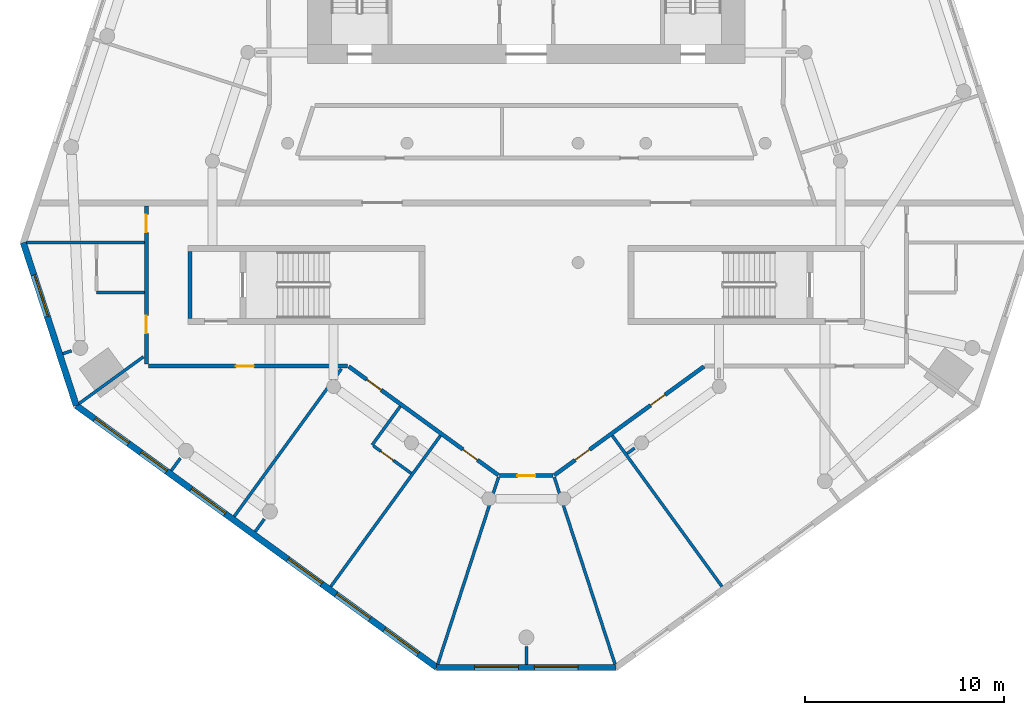
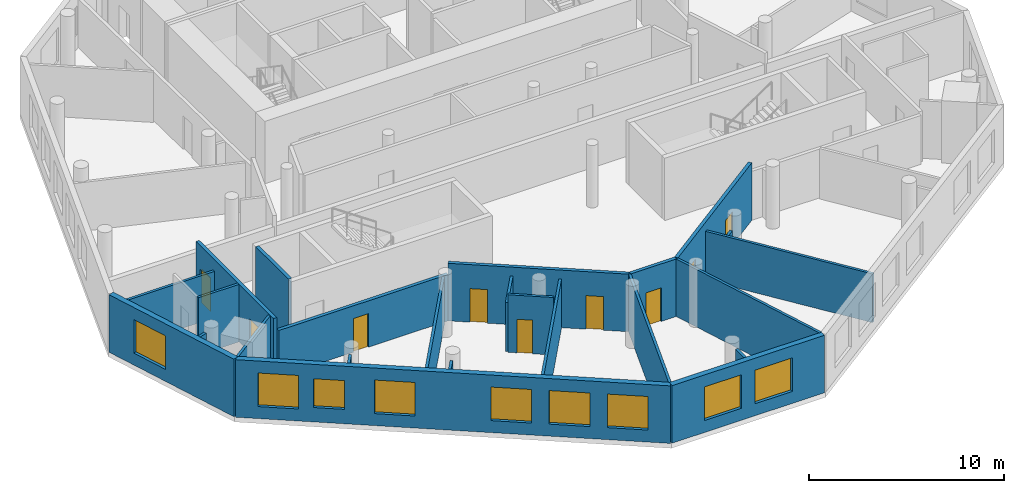
# One storey, part 2 of 8: 24 walls, 9 doors, 9 windows, 18 openings.
"""IFC4 building model written with IfcOpenShell, lengths in metres."""

from ifc_helpers import new_model, si_unit, direction, frame, frame_2d, origin, place, context, subcontext, project, spatial, rectangle, extrude, material, layer, layer_set, type_object, element, fill, save


model = new_model("IFC4")

# Units and contexts
model_context = context("Model", 3, precision=1e-05, world=origin(), true_north=direction((0.0, 1.0)))
body_context = subcontext(model_context, "Body", "Model", "MODEL_VIEW")
ifc_project = project(units=[si_unit("LENGTHUNIT", "METRE"), si_unit("AREAUNIT", "SQUARE_METRE"), si_unit("VOLUMEUNIT", "CUBIC_METRE"), si_unit("PLANEANGLEUNIT", "RADIAN"), si_unit("MASSUNIT", "GRAM", prefix="KILO")], contexts=[model_context])

# Site, building, storey
site_placement = place(None, origin())
site = spatial("IfcSite", under=ifc_project, at=site_placement, CompositionType="ELEMENT")
building_placement = place(site_placement, origin())
building = spatial("IfcBuilding", under=site, at=building_placement, Name="White Candle Pilgrim Tower", CompositionType="ELEMENT")
storey_placement = place(building_placement, frame((0.0, 0.0, 156.39990234375)))
storey = spatial("IfcBuildingStorey", under=building, at=storey_placement, Name="L35", CompositionType="ELEMENT", Elevation=156.39990234375)

# Wall
ifc_material_1 = material(Name="Concrete C60/75", Category="concrete")
ifc_layer_1 = layer(ifc_material_1, 0.199951171875)
ifc_layer_set_1 = layer_set([ifc_layer_1], Name="Core wall 200 mm Concrete C60/75")
wall_type_1 = type_object("IfcWallType", Name="Core wall 200 mm Concrete C60/75", PredefinedType="SHEAR", material=ifc_layer_set_1)
wall_1_placement = place(storey_placement, frame((53.10009765625, 58.199951171875, 0.0), z_axis=(0.0, 0.0, 1.0), x_axis=(0.0, 1.0, 0.0)))
element("IfcWall", 1, at=wall_1_placement, inside=storey, type_object=wall_type_1, Name="WL-L35-C03", PredefinedType="SHEAR", context=body_context, shape_type="SweptSolid", body=[
    extrude(rectangle(XDim=3.35009765625, YDim=0.199951171875, at=frame_2d((1.675048828125, 0.0))), origin(), (0.0, 0.0, 1.0), 3.900146484375),
])

# Wall, openings, doors
ifc_material_2 = material(Name="Gypsum board on steel studs", Category="steel")
ifc_layer_2 = layer(ifc_material_2, 0.199951171875)
ifc_layer_set_2 = layer_set([ifc_layer_2], Name="Corridor wall 200 mm EI 45")
wall_type_2 = type_object("IfcWallType", Name="Corridor wall 200 mm EI 45", PredefinedType="PARTITIONING", material=ifc_layer_set_2)
wall_2_placement = place(storey_placement, frame((78.93017578125, 55.781005859375, 0.0), z_axis=(0.0, 0.0, 1.0), x_axis=(-0.809011649892, -0.587792608272, 0.0)))
wall_2 = element("IfcWall", 2, at=wall_2_placement, inside=storey, type_object=wall_type_2, Name="WL-L35-P008", PredefinedType="PARTITIONING", context=body_context, shape_type="SweptSolid", body=[
    extrude(rectangle(XDim=9.306884765625, YDim=0.199951171875, at=frame_2d((4.6533203125, 0.0))), origin(), (0.0, 0.0, 1.0), 3.60009765625),
])
opening_1_placement = place(wall_2_placement, frame((7.10693359375, 0.0, 0.0)))
opening_1 = element("IfcOpeningElement", 3, at=opening_1_placement, cuts=wall_2, Name="Opening T10-108", PredefinedType="OPENING", context=body_context, shape_type="SweptSolid", body=[
    extrude(rectangle(XDim=0.89990234375, YDim=2.10009765625, at=frame_2d((0.449951171875, 1.050048828125))), frame((0.0, 0.10986328125, 0.0), z_axis=(0.0, -1.0, 0.0), x_axis=(1.0, 0.0, 0.0)), (0.0, 0.0, 1.0), 0.219970703125),
])
opening_2_placement = place(wall_2_placement, frame((2.421142578125, 0.0, 0.0)))
opening_2 = element("IfcOpeningElement", 4, at=opening_2_placement, cuts=wall_2, Name="Opening T10-109", PredefinedType="OPENING", context=body_context, shape_type="SweptSolid", body=[
    extrude(rectangle(XDim=0.89990234375, YDim=2.10009765625, at=frame_2d((0.449951171875, 1.050048828125))), frame((0.0, 0.10986328125, 0.0), z_axis=(0.0, -1.0, 0.0), x_axis=(1.0, 0.0, 0.0)), (0.0, 0.0, 1.0), 0.219970703125),
])
ifc_material_3 = material(Name="Steel door leaf", Category="steel")
door_type_1 = type_object("IfcDoorType", Name="Fire door 900 x 2100 EI 30", OperationType="NOTDEFINED", PredefinedType="DOOR", material=ifc_material_3)
door_1_placement = place(opening_1_placement, origin())
door_1 = element("IfcDoor", 5, at=door_1_placement, inside=storey, type_object=door_type_1, Name="Door T10-108", OperationType="SINGLE_SWING_RIGHT", OverallHeight=2.10009765625, OverallWidth=0.89990234375, PredefinedType="DOOR", context=body_context, shape_type="SweptSolid", body=[
    extrude(rectangle(XDim=0.89990234375, YDim=2.10009765625, at=frame_2d((0.449951171875, 1.050048828125))), frame((0.0, 0.02490234375, 0.0), z_axis=(0.0, -1.0, 0.0), x_axis=(1.0, 0.0, 0.0)), (0.0, 0.0, 1.0), 0.050048828125),
])
fill(opening_1, door_1)
door_2_placement = place(opening_2_placement, origin())
door_2 = element("IfcDoor", 6, at=door_2_placement, inside=storey, type_object=door_type_1, Name="Door T10-109", OperationType="SINGLE_SWING_LEFT", OverallHeight=2.10009765625, OverallWidth=0.89990234375, PredefinedType="DOOR", context=body_context, shape_type="SweptSolid", body=[
    extrude(rectangle(XDim=0.89990234375, YDim=2.10009765625, at=frame_2d((0.449951171875, 1.050048828125))), frame((0.0, 0.02490234375, 0.0), z_axis=(0.0, -1.0, 0.0), x_axis=(1.0, 0.0, 0.0)), (0.0, 0.0, 1.0), 0.050048828125),
])
fill(opening_2, door_2)

# Wall, opening, door
wall_3_placement = place(storey_placement, frame((71.342041015625, 50.29150390625, 0.0), z_axis=(0.0, 0.0, 1.0), x_axis=(-1.0, 0.0, 0.0)))
wall_3 = element("IfcWall", 7, at=wall_3_placement, inside=storey, type_object=wall_type_2, Name="WL-L35-P009", PredefinedType="PARTITIONING", context=body_context, shape_type="SweptSolid", body=[
    extrude(rectangle(XDim=2.68408203125, YDim=0.199951171875, at=frame_2d((1.342041015625, 0.0))), origin(), (0.0, 0.0, 1.0), 3.60009765625),
])
opening_3_placement = place(wall_3_placement, frame((0.89208984375, 0.0, 0.0)))
opening_3 = element("IfcOpeningElement", 8, at=opening_3_placement, cuts=wall_3, Name="Opening T10-107", PredefinedType="OPENING", context=body_context, shape_type="SweptSolid", body=[
    extrude(rectangle(XDim=0.89990234375, YDim=2.10009765625, at=frame_2d((0.449951171875, 1.050048828125))), frame((0.0, 0.10986328125, 0.0), z_axis=(0.0, -1.0, 0.0), x_axis=(1.0, 0.0, 0.0)), (0.0, 0.0, 1.0), 0.219970703125),
])
door_3_placement = place(opening_3_placement, origin())
door_3 = element("IfcDoor", 9, at=door_3_placement, inside=storey, type_object=door_type_1, Name="Door T10-107", OperationType="SINGLE_SWING_LEFT", OverallHeight=2.10009765625, OverallWidth=0.89990234375, PredefinedType="DOOR", context=body_context, shape_type="SweptSolid", body=[
    extrude(rectangle(XDim=0.89990234375, YDim=2.10009765625, at=frame_2d((0.449951171875, 1.050048828125))), frame((0.0, 0.02490234375, 0.0), z_axis=(0.0, -1.0, 0.0), x_axis=(1.0, 0.0, 0.0)), (0.0, 0.0, 1.0), 0.050048828125),
])
fill(opening_3, door_3)

# Wall, openings, doors
wall_4_placement = place(storey_placement, frame((68.59912109375, 50.310546875, 0.0), z_axis=(0.0, 0.0, 1.0), x_axis=(-0.809011649892, 0.587792608272, 0.0)))
wall_4 = element("IfcWall", 10, at=wall_4_placement, inside=storey, type_object=wall_type_2, Name="WL-L35-P010", PredefinedType="PARTITIONING", context=body_context, shape_type="SweptSolid", body=[
    extrude(rectangle(XDim=9.306884765625, YDim=0.199951171875, at=frame_2d((4.6533203125, 0.0))), origin(), (0.0, 0.0, 1.0), 3.60009765625),
])
opening_4_placement = place(wall_4_placement, frame((7.285400390625, 0.0, 0.0)))
opening_4 = element("IfcOpeningElement", 11, at=opening_4_placement, cuts=wall_4, Name="Opening T10-105", PredefinedType="OPENING", context=body_context, shape_type="SweptSolid", body=[
    extrude(rectangle(XDim=0.89990234375, YDim=2.10009765625, at=frame_2d((0.449951171875, 1.050048828125))), frame((0.0, 0.10986328125, 0.0), z_axis=(0.0, -1.0, 0.0), x_axis=(1.0, 0.0, 0.0)), (0.0, 0.0, 1.0), 0.219970703125),
])
opening_5_placement = place(wall_4_placement, frame((1.299560546875, 0.0, 0.0)))
opening_5 = element("IfcOpeningElement", 12, at=opening_5_placement, cuts=wall_4, Name="Opening T10-106", PredefinedType="OPENING", context=body_context, shape_type="SweptSolid", body=[
    extrude(rectangle(XDim=0.89990234375, YDim=2.10009765625, at=frame_2d((0.449951171875, 1.050048828125))), frame((0.0, 0.10986328125, 0.0), z_axis=(0.0, -1.0, 0.0), x_axis=(1.0, 0.0, 0.0)), (0.0, 0.0, 1.0), 0.219970703125),
])
door_4_placement = place(opening_4_placement, origin())
door_4 = element("IfcDoor", 13, at=door_4_placement, inside=storey, type_object=door_type_1, Name="Door T10-105", OperationType="SINGLE_SWING_LEFT", OverallHeight=2.10009765625, OverallWidth=0.89990234375, PredefinedType="DOOR", context=body_context, shape_type="SweptSolid", body=[
    extrude(rectangle(XDim=0.89990234375, YDim=2.10009765625, at=frame_2d((0.449951171875, 1.050048828125))), frame((0.0, 0.02490234375, 0.0), z_axis=(0.0, -1.0, 0.0), x_axis=(1.0, 0.0, 0.0)), (0.0, 0.0, 1.0), 0.050048828125),
])
fill(opening_4, door_4)
door_5_placement = place(opening_5_placement, origin())
door_5 = element("IfcDoor", 14, at=door_5_placement, inside=storey, type_object=door_type_1, Name="Door T10-106", OperationType="SINGLE_SWING_RIGHT", OverallHeight=2.10009765625, OverallWidth=0.89990234375, PredefinedType="DOOR", context=body_context, shape_type="SweptSolid", body=[
    extrude(rectangle(XDim=0.89990234375, YDim=2.10009765625, at=frame_2d((0.449951171875, 1.050048828125))), frame((0.0, 0.02490234375, 0.0), z_axis=(0.0, -1.0, 0.0), x_axis=(1.0, 0.0, 0.0)), (0.0, 0.0, 1.0), 0.050048828125),
])
fill(opening_5, door_5)

# Wall, opening, door
wall_5_placement = place(storey_placement, frame((61.010986328125, 55.800048828125, 0.0), z_axis=(0.0, 0.0, 1.0), x_axis=(-1.0, 0.0, 0.0)))
wall_5 = element("IfcWall", 15, at=wall_5_placement, inside=storey, type_object=wall_type_2, Name="WL-L35-P011", PredefinedType="PARTITIONING", context=body_context, shape_type="SweptSolid", body=[
    extrude(rectangle(XDim=10.010986328125, YDim=0.199951171875, at=frame_2d((5.00537109375, 0.0))), origin(), (0.0, 0.0, 1.0), 2.900146484375),
])
opening_6_placement = place(wall_5_placement, frame((4.70849609375, 0.0, 0.0)))
opening_6 = element("IfcOpeningElement", 16, at=opening_6_placement, cuts=wall_5, Name="Opening T10-103", PredefinedType="OPENING", context=body_context, shape_type="SweptSolid", body=[
    extrude(rectangle(XDim=0.89990234375, YDim=2.10009765625, at=frame_2d((0.449951171875, 1.050048828125))), frame((0.0, 0.10986328125, 0.0), z_axis=(0.0, -1.0, 0.0), x_axis=(1.0, 0.0, 0.0)), (0.0, 0.0, 1.0), 0.219970703125),
])
door_6_placement = place(opening_6_placement, origin())
door_6 = element("IfcDoor", 17, at=door_6_placement, inside=storey, type_object=door_type_1, Name="Door T10-103", OperationType="SINGLE_SWING_LEFT", OverallHeight=2.10009765625, OverallWidth=0.89990234375, PredefinedType="DOOR", context=body_context, shape_type="SweptSolid", body=[
    extrude(rectangle(XDim=0.89990234375, YDim=2.10009765625, at=frame_2d((0.449951171875, 1.050048828125))), frame((0.0, 0.02490234375, 0.0), z_axis=(0.0, -1.0, 0.0), x_axis=(1.0, 0.0, 0.0)), (0.0, 0.0, 1.0), 0.050048828125),
])
fill(opening_6, door_6)

# Wall, openings, doors
wall_6_placement = place(storey_placement, frame((50.89990234375, 55.89990234375, 0.0), z_axis=(0.0, 0.0, 1.0), x_axis=(0.0, 1.0, 0.0)))
wall_6 = element("IfcWall", 18, at=wall_6_placement, inside=storey, type_object=wall_type_2, Name="WL-L35-P012", PredefinedType="PARTITIONING", context=body_context, shape_type="SweptSolid", body=[
    extrude(rectangle(XDim=7.9501953125, YDim=0.199951171875, at=frame_2d((3.97509765625, 0.0))), origin(), (0.0, 0.0, 1.0), 3.60009765625),
])
opening_7_placement = place(wall_6_placement, frame((1.537841796875, 0.0, 0.0)))
opening_7 = element("IfcOpeningElement", 19, at=opening_7_placement, cuts=wall_6, Name="Opening T10-102", PredefinedType="OPENING", context=body_context, shape_type="SweptSolid", body=[
    extrude(rectangle(XDim=0.89990234375, YDim=2.10009765625, at=frame_2d((0.449951171875, 1.050048828125))), frame((0.0, 0.10986328125, 0.0), z_axis=(0.0, -1.0, 0.0), x_axis=(1.0, 0.0, 0.0)), (0.0, 0.0, 1.0), 0.219970703125),
])
opening_8_placement = place(wall_6_placement, frame((6.613525390625, 0.0, 0.0)))
opening_8 = element("IfcOpeningElement", 20, at=opening_8_placement, cuts=wall_6, Name="Opening T10-117", PredefinedType="OPENING", context=body_context, shape_type="SweptSolid", body=[
    extrude(rectangle(XDim=0.89990234375, YDim=2.10009765625, at=frame_2d((0.449951171875, 1.050048828125))), frame((0.0, 0.10986328125, 0.0), z_axis=(0.0, -1.0, 0.0), x_axis=(1.0, 0.0, 0.0)), (0.0, 0.0, 1.0), 0.219970703125),
])
door_7_placement = place(opening_7_placement, origin())
door_7 = element("IfcDoor", 21, at=door_7_placement, inside=storey, type_object=door_type_1, Name="Door T10-102", OperationType="SINGLE_SWING_RIGHT", OverallHeight=2.10009765625, OverallWidth=0.89990234375, PredefinedType="DOOR", context=body_context, shape_type="SweptSolid", body=[
    extrude(rectangle(XDim=0.89990234375, YDim=2.10009765625, at=frame_2d((0.449951171875, 1.050048828125))), frame((0.0, 0.02490234375, 0.0), z_axis=(0.0, -1.0, 0.0), x_axis=(1.0, 0.0, 0.0)), (0.0, 0.0, 1.0), 0.050048828125),
])
fill(opening_7, door_7)
door_8_placement = place(opening_8_placement, origin())
door_8 = element("IfcDoor", 22, at=door_8_placement, inside=storey, type_object=door_type_1, Name="Door T10-117", OperationType="SINGLE_SWING_LEFT", OverallHeight=2.10009765625, OverallWidth=0.89990234375, PredefinedType="DOOR", context=body_context, shape_type="SweptSolid", body=[
    extrude(rectangle(XDim=0.89990234375, YDim=2.10009765625, at=frame_2d((0.449951171875, 1.050048828125))), frame((0.0, 0.02490234375, 0.0), z_axis=(0.0, -1.0, 0.0), x_axis=(1.0, 0.0, 0.0)), (0.0, 0.0, 1.0), 0.050048828125),
])
fill(opening_8, door_8)

# Wall, opening, window
ifc_material_4 = material(Name="Precast concrete C40/50", Category="concrete")
ifc_layer_3 = layer(ifc_material_4, 0.320068359375)
ifc_layer_set_3 = layer_set([ifc_layer_3], Name="Facade wall EW1 precast concrete C40/50 pier wall with timber-lined reveals")
wall_type_3 = type_object("IfcWallType", Name="Facade wall EW1 precast concrete C40/50 pier wall with timber-lined reveals", PredefinedType="SOLIDWALL", material=ifc_layer_set_3)
wall_7_placement = place(storey_placement, frame((44.716064453125, 62.002197265625, 0.0), z_axis=(0.0, 0.0, 1.0), x_axis=(0.309030288319, -0.951052196728, 0.0)))
wall_7 = element("IfcWall", 23, at=wall_7_placement, inside=storey, type_object=wall_type_3, Name="Facade wall L35 W chamfer", PredefinedType="SOLIDWALL", context=body_context, shape_type="SweptSolid", body=[
    extrude(rectangle(XDim=8.609619140625, YDim=0.320068359375, at=frame_2d((4.3046875, 0.0))), origin(), (0.0, 0.0, 1.0), 3.60009765625),
])
opening_9_placement = place(wall_7_placement, frame((1.704833984375, 0.0, 0.75)))
opening_9 = element("IfcOpeningElement", 24, at=opening_9_placement, cuts=wall_7, Name="Opening W4", PredefinedType="OPENING", context=body_context, shape_type="SweptSolid", body=[
    extrude(rectangle(XDim=2.199951171875, YDim=2.10009765625, at=frame_2d((1.10009765625, 1.050048828125))), frame((0.0, 0.169921875, 0.0), z_axis=(0.0, -1.0, 0.0), x_axis=(1.0, 0.0, 0.0)), (0.0, 0.0, 1.0), 0.340087890625),
])
ifc_material_5 = material(Name="Timber frame with triple glazing", Category="wood")
window_type_1 = type_object("IfcWindowType", Name="Window W4 2200x2100 timber frame triple glazing", PartitioningType="SINGLE_PANEL", PredefinedType="WINDOW", material=ifc_material_5)
window_1_placement = place(opening_9_placement, origin())
window_1 = element("IfcWindow", 25, at=window_1_placement, inside=storey, type_object=window_type_1, Name="Window W4 L35 W chamfer 1", OverallHeight=2.10009765625, OverallWidth=2.199951171875, PartitioningType="SINGLE_PANEL", PredefinedType="WINDOW", context=body_context, shape_type="SweptSolid", body=[
    extrude(rectangle(XDim=2.199951171875, YDim=2.10009765625, at=frame_2d((1.10009765625, 1.050048828125))), frame((0.0, 0.070068359375, 0.0), z_axis=(0.0, -1.0, 0.0), x_axis=(1.0, 0.0, 0.0)), (0.0, 0.0, 1.0), 0.06005859375),
])
fill(opening_9, window_1)

# Wall, openings, windows
wall_8_placement = place(storey_placement, frame((47.376708984375, 53.81396484375, 0.0), z_axis=(0.0, 0.0, 1.0), x_axis=(0.809012267685, -0.587791757968, 0.0)))
wall_8 = element("IfcWall", 26, at=wall_8_placement, inside=storey, type_object=wall_type_3, Name="Facade wall L35 SW", PredefinedType="SOLIDWALL", context=body_context, shape_type="SweptSolid", body=[
    extrude(rectangle(XDim=22.393310546875, YDim=0.320068359375, at=frame_2d((11.19677734375, 0.0))), origin(), (0.0, 0.0, 1.0), 3.60009765625),
])
opening_10_placement = place(wall_8_placement, frame((1.146484375, 0.0, 0.75)))
opening_10 = element("IfcOpeningElement", 27, at=opening_10_placement, cuts=wall_8, Name="Opening W3", PredefinedType="OPENING", context=body_context, shape_type="SweptSolid", body=[
    extrude(rectangle(XDim=2.10009765625, YDim=2.10009765625, at=frame_2d((1.050048828125, 1.050048828125))), frame((0.0, 0.169921875, 0.0), z_axis=(0.0, -1.0, 0.0), x_axis=(1.0, 0.0, 0.0)), (0.0, 0.0, 1.0), 0.340087890625),
])
opening_11_placement = place(wall_8_placement, frame((4.012451171875, 0.0, 0.89990234375)))
opening_11 = element("IfcOpeningElement", 28, at=opening_11_placement, cuts=wall_8, Name="Opening W2", PredefinedType="OPENING", context=body_context, shape_type="SweptSolid", body=[
    extrude(rectangle(XDim=1.60009765625, YDim=1.800048828125, at=frame_2d((0.800048828125, 0.89990234375))), frame((0.0, 0.169921875, 0.0), z_axis=(0.0, -1.0, 0.0), x_axis=(1.0, 0.0, 0.0)), (0.0, 0.0, 1.0), 0.340087890625),
])
opening_12_placement = place(wall_8_placement, frame((7.146484375, 0.0, 0.75)))
opening_12 = element("IfcOpeningElement", 29, at=opening_12_placement, cuts=wall_8, Name="Opening W3", PredefinedType="OPENING", context=body_context, shape_type="SweptSolid", body=[
    extrude(rectangle(XDim=2.10009765625, YDim=2.10009765625, at=frame_2d((1.050048828125, 1.050048828125))), frame((0.0, 0.169921875, 0.0), z_axis=(0.0, -1.0, 0.0), x_axis=(1.0, 0.0, 0.0)), (0.0, 0.0, 1.0), 0.340087890625),
])
opening_13_placement = place(wall_8_placement, frame((13.146484375, 0.0, 0.75)))
opening_13 = element("IfcOpeningElement", 30, at=opening_13_placement, cuts=wall_8, Name="Opening W3", PredefinedType="OPENING", context=body_context, shape_type="SweptSolid", body=[
    extrude(rectangle(XDim=2.10009765625, YDim=2.10009765625, at=frame_2d((1.050048828125, 1.050048828125))), frame((0.0, 0.169921875, 0.0), z_axis=(0.0, -1.0, 0.0), x_axis=(1.0, 0.0, 0.0)), (0.0, 0.0, 1.0), 0.340087890625),
])
opening_14_placement = place(wall_8_placement, frame((16.146484375, 0.0, 0.75)))
opening_14 = element("IfcOpeningElement", 31, at=opening_14_placement, cuts=wall_8, Name="Opening W3", PredefinedType="OPENING", context=body_context, shape_type="SweptSolid", body=[
    extrude(rectangle(XDim=2.10009765625, YDim=2.10009765625, at=frame_2d((1.050048828125, 1.050048828125))), frame((0.0, 0.169921875, 0.0), z_axis=(0.0, -1.0, 0.0), x_axis=(1.0, 0.0, 0.0)), (0.0, 0.0, 1.0), 0.340087890625),
])
opening_15_placement = place(wall_8_placement, frame((19.146484375, 0.0, 0.75)))
opening_15 = element("IfcOpeningElement", 32, at=opening_15_placement, cuts=wall_8, Name="Opening W3", PredefinedType="OPENING", context=body_context, shape_type="SweptSolid", body=[
    extrude(rectangle(XDim=2.10009765625, YDim=2.10009765625, at=frame_2d((1.050048828125, 1.050048828125))), frame((0.0, 0.169921875, 0.0), z_axis=(0.0, -1.0, 0.0), x_axis=(1.0, 0.0, 0.0)), (0.0, 0.0, 1.0), 0.340087890625),
])
window_type_2 = type_object("IfcWindowType", Name="Window W2 1600x1800 timber frame triple glazing", PartitioningType="SINGLE_PANEL", PredefinedType="WINDOW", material=ifc_material_5)
window_2_placement = place(opening_11_placement, origin())
window_2 = element("IfcWindow", 33, at=window_2_placement, inside=storey, type_object=window_type_2, Name="Window W2 L35 SW 2", OverallHeight=1.800048828125, OverallWidth=1.60009765625, PartitioningType="SINGLE_PANEL", PredefinedType="WINDOW", context=body_context, shape_type="SweptSolid", body=[
    extrude(rectangle(XDim=1.60009765625, YDim=1.800048828125, at=frame_2d((0.800048828125, 0.89990234375))), frame((0.0, 0.070068359375, 0.0), z_axis=(0.0, -1.0, 0.0), x_axis=(1.0, 0.0, 0.0)), (0.0, 0.0, 1.0), 0.06005859375),
])
fill(opening_11, window_2)
window_type_3 = type_object("IfcWindowType", Name="Window W3 2100x2100 timber frame triple glazing", PartitioningType="SINGLE_PANEL", PredefinedType="WINDOW", material=ifc_material_5)
window_3_placement = place(opening_10_placement, origin())
window_3 = element("IfcWindow", 34, at=window_3_placement, inside=storey, type_object=window_type_3, Name="Window W3 L35 SW 1", OverallHeight=2.10009765625, OverallWidth=2.10009765625, PartitioningType="SINGLE_PANEL", PredefinedType="WINDOW", context=body_context, shape_type="SweptSolid", body=[
    extrude(rectangle(XDim=2.10009765625, YDim=2.10009765625, at=frame_2d((1.050048828125, 1.050048828125))), frame((0.0, 0.070068359375, 0.0), z_axis=(0.0, -1.0, 0.0), x_axis=(1.0, 0.0, 0.0)), (0.0, 0.0, 1.0), 0.06005859375),
])
fill(opening_10, window_3)
window_4_placement = place(opening_12_placement, origin())
window_4 = element("IfcWindow", 35, at=window_4_placement, inside=storey, type_object=window_type_3, Name="Window W3 L35 SW 3", OverallHeight=2.10009765625, OverallWidth=2.10009765625, PartitioningType="SINGLE_PANEL", PredefinedType="WINDOW", context=body_context, shape_type="SweptSolid", body=[
    extrude(rectangle(XDim=2.10009765625, YDim=2.10009765625, at=frame_2d((1.050048828125, 1.050048828125))), frame((0.0, 0.070068359375, 0.0), z_axis=(0.0, -1.0, 0.0), x_axis=(1.0, 0.0, 0.0)), (0.0, 0.0, 1.0), 0.06005859375),
])
fill(opening_12, window_4)
window_5_placement = place(opening_13_placement, origin())
window_5 = element("IfcWindow", 36, at=window_5_placement, inside=storey, type_object=window_type_3, Name="Window W3 L35 SW 5", OverallHeight=2.10009765625, OverallWidth=2.10009765625, PartitioningType="SINGLE_PANEL", PredefinedType="WINDOW", context=body_context, shape_type="SweptSolid", body=[
    extrude(rectangle(XDim=2.10009765625, YDim=2.10009765625, at=frame_2d((1.050048828125, 1.050048828125))), frame((0.0, 0.070068359375, 0.0), z_axis=(0.0, -1.0, 0.0), x_axis=(1.0, 0.0, 0.0)), (0.0, 0.0, 1.0), 0.06005859375),
])
fill(opening_13, window_5)
window_6_placement = place(opening_14_placement, origin())
window_6 = element("IfcWindow", 37, at=window_6_placement, inside=storey, type_object=window_type_3, Name="Window W3 L35 SW 6", OverallHeight=2.10009765625, OverallWidth=2.10009765625, PartitioningType="SINGLE_PANEL", PredefinedType="WINDOW", context=body_context, shape_type="SweptSolid", body=[
    extrude(rectangle(XDim=2.10009765625, YDim=2.10009765625, at=frame_2d((1.050048828125, 1.050048828125))), frame((0.0, 0.070068359375, 0.0), z_axis=(0.0, -1.0, 0.0), x_axis=(1.0, 0.0, 0.0)), (0.0, 0.0, 1.0), 0.06005859375),
])
fill(opening_14, window_6)
window_7_placement = place(opening_15_placement, origin())
window_7 = element("IfcWindow", 38, at=window_7_placement, inside=storey, type_object=window_type_3, Name="Window W3 L35 SW 7", OverallHeight=2.10009765625, OverallWidth=2.10009765625, PartitioningType="SINGLE_PANEL", PredefinedType="WINDOW", context=body_context, shape_type="SweptSolid", body=[
    extrude(rectangle(XDim=2.10009765625, YDim=2.10009765625, at=frame_2d((1.050048828125, 1.050048828125))), frame((0.0, 0.070068359375, 0.0), z_axis=(0.0, -1.0, 0.0), x_axis=(1.0, 0.0, 0.0)), (0.0, 0.0, 1.0), 0.06005859375),
])
fill(opening_15, window_7)

wall_9_placement = place(storey_placement, frame((65.4931640625, 40.6513671875, 0.0), z_axis=(0.0, 0.0, 1.0), x_axis=(1.0, 0.0, 0.0)))
wall_9 = element("IfcWall", 39, at=wall_9_placement, inside=storey, type_object=wall_type_3, Name="Facade wall L35 S chamfer", PredefinedType="SOLIDWALL", context=body_context, shape_type="SweptSolid", body=[
    extrude(rectangle(XDim=9.013671875, YDim=0.320068359375, at=frame_2d((4.5068359375, 0.0))), origin(), (0.0, 0.0, 1.0), 3.60009765625),
])
opening_16_placement = place(wall_9_placement, frame((1.90673828125, 0.0, 0.75)))
opening_16 = element("IfcOpeningElement", 40, at=opening_16_placement, cuts=wall_9, Name="Opening W4", PredefinedType="OPENING", context=body_context, shape_type="SweptSolid", body=[
    extrude(rectangle(XDim=2.199951171875, YDim=2.10009765625, at=frame_2d((1.10009765625, 1.050048828125))), frame((0.0, 0.169921875, 0.0), z_axis=(0.0, -1.0, 0.0), x_axis=(1.0, 0.0, 0.0)), (0.0, 0.0, 1.0), 0.340087890625),
])
opening_17_placement = place(wall_9_placement, frame((4.90673828125, 0.0, 0.75)))
opening_17 = element("IfcOpeningElement", 41, at=opening_17_placement, cuts=wall_9, Name="Opening W4", PredefinedType="OPENING", context=body_context, shape_type="SweptSolid", body=[
    extrude(rectangle(XDim=2.199951171875, YDim=2.10009765625, at=frame_2d((1.10009765625, 1.050048828125))), frame((0.0, 0.169921875, 0.0), z_axis=(0.0, -1.0, 0.0), x_axis=(1.0, 0.0, 0.0)), (0.0, 0.0, 1.0), 0.340087890625),
])
window_8_placement = place(opening_16_placement, origin())
window_8 = element("IfcWindow", 42, at=window_8_placement, inside=storey, type_object=window_type_1, Name="Window W4 L35 S chamfer 1", OverallHeight=2.10009765625, OverallWidth=2.199951171875, PartitioningType="SINGLE_PANEL", PredefinedType="WINDOW", context=body_context, shape_type="SweptSolid", body=[
    extrude(rectangle(XDim=2.199951171875, YDim=2.10009765625, at=frame_2d((1.10009765625, 1.050048828125))), frame((0.0, 0.070068359375, 0.0), z_axis=(0.0, -1.0, 0.0), x_axis=(1.0, 0.0, 0.0)), (0.0, 0.0, 1.0), 0.06005859375),
])
fill(opening_16, window_8)
window_9_placement = place(opening_17_placement, origin())
window_9 = element("IfcWindow", 43, at=window_9_placement, inside=storey, type_object=window_type_1, Name="Window W4 L35 S chamfer 2", OverallHeight=2.10009765625, OverallWidth=2.199951171875, PartitioningType="SINGLE_PANEL", PredefinedType="WINDOW", context=body_context, shape_type="SweptSolid", body=[
    extrude(rectangle(XDim=2.199951171875, YDim=2.10009765625, at=frame_2d((1.10009765625, 1.050048828125))), frame((0.0, 0.070068359375, 0.0), z_axis=(0.0, -1.0, 0.0), x_axis=(1.0, 0.0, 0.0)), (0.0, 0.0, 1.0), 0.06005859375),
])
fill(opening_17, window_9)

# Walls
ifc_layer_4 = layer(ifc_material_2, 0.14990234375)
ifc_layer_set_4 = layer_set([ifc_layer_4], Name="Partition 150 mm EI 60")
wall_type_4 = type_object("IfcWallType", Name="Partition 150 mm EI 60", PredefinedType="PARTITIONING", material=ifc_layer_set_4)
wall_10_placement = place(storey_placement, frame((44.884521484375, 62.002197265625, 0.0), z_axis=(0.0, 0.0, 1.0), x_axis=(1.0, 0.0, 0.0)))
element("IfcWall", 44, at=wall_10_placement, inside=storey, type_object=wall_type_4, Name="WL-L35-P018", PredefinedType="PARTITIONING", context=body_context, shape_type="SweptSolid", body=[
    extrude(rectangle(XDim=5.91552734375, YDim=0.14990234375, at=frame_2d((2.957763671875, 0.0))), origin(), (0.0, 0.0, 1.0), 2.900146484375),
])
wall_11_placement = place(storey_placement, frame((47.5126953125, 53.91259765625, 0.0), z_axis=(0.0, 0.0, 1.0), x_axis=(0.80899935581, 0.587809528928, 0.0)))
element("IfcWall", 45, at=wall_11_placement, inside=storey, type_object=wall_type_4, Name="WL-L35-P019", PredefinedType="PARTITIONING", context=body_context, shape_type="SweptSolid", body=[
    extrude(rectangle(XDim=4.0087890625, YDim=0.14990234375, at=frame_2d((2.00439453125, 0.0))), origin(), (0.0, 0.0, 1.0), 3.60009765625),
])
for number, where, z_axis, x_axis, name in (
    (46, (65.545166015625, 40.8115234375, 0.0), (0.0, 0.0, 1.0), (0.309015131176, 0.951057121683, 0.0), "WL-L35-P020"),
    (47, (74.454833984375, 40.8115234375, 0.0), (0.0, 0.0, 1.0), (-0.309015131176, 0.951057121683, 0.0), "WL-L35-P021"),
):
    element("IfcWall", number, at=place(storey_placement, frame(where, z_axis=z_axis, x_axis=x_axis)), inside=storey, type_object=wall_type_4, Name=name, PredefinedType="PARTITIONING", context=body_context, shape_type="SweptSolid", body=[
        extrude(rectangle(XDim=9.8828125, YDim=0.14990234375, at=frame_2d((4.94140625, 0.0))), origin(), (0.0, 0.0, 1.0), 3.60009765625),
    ])
wall_12_placement = place(storey_placement, frame((50.800048828125, 59.502197265625, 0.0), z_axis=(0.0, 0.0, 1.0), x_axis=(-1.0, 0.0, 0.0)))
element("IfcWall", 48, at=wall_12_placement, inside=storey, type_object=wall_type_4, Name="WL-L35-P026", PredefinedType="PARTITIONING", context=body_context, shape_type="SweptSolid", body=[
    extrude(rectangle(XDim=2.400146484375, YDim=0.14990234375, at=frame_2d((1.2001953125, 0.0))), origin(), (0.0, 0.0, 1.0), 3.60009765625),
])
wall_13_placement = place(storey_placement, frame((55.3154296875, 48.243896484375, 0.0), z_axis=(0.0, 0.0, 1.0), x_axis=(0.587788197188, 0.809014854775, 0.0)))
element("IfcWall", 49, at=wall_13_placement, inside=storey, type_object=wall_type_4, Name="WL-L35-P028", PredefinedType="PARTITIONING", context=body_context, shape_type="SweptSolid", body=[
    extrude(rectangle(XDim=9.161865234375, YDim=0.14990234375, at=frame_2d((4.5810546875, 0.0))), origin(), (0.0, 0.0, 1.0), 2.900146484375),
])
wall_14_placement = place(storey_placement, frame((60.169677734375, 44.717041015625, 0.0), z_axis=(0.0, 0.0, 1.0), x_axis=(0.587783184234, 0.809018496903, 0.0)))
element("IfcWall", 50, at=wall_14_placement, inside=storey, type_object=wall_type_4, Name="WL-L35-P029", PredefinedType="PARTITIONING", context=body_context, shape_type="SweptSolid", body=[
    extrude(rectangle(XDim=9.380126953125, YDim=0.14990234375, at=frame_2d((4.68994140625, 0.0))), origin(), (0.0, 0.0, 1.0), 3.050048828125),
])
wall_15_placement = place(storey_placement, frame((63.660400390625, 53.775146484375, 0.0), z_axis=(0.0, 0.0, 1.0), x_axis=(-0.587772420479, -0.809026317077, 0.0)))
element("IfcWall", 51, at=wall_15_placement, inside=storey, type_object=wall_type_4, Name="WL-L35-P030", PredefinedType="PARTITIONING", context=body_context, shape_type="SweptSolid", body=[
    extrude(rectangle(XDim=2.39990234375, YDim=0.14990234375, at=frame_2d((1.199951171875, 0.0))), origin(), (0.0, 0.0, 1.0), 3.050048828125),
])

# Wall, opening, door
wall_16_placement = place(storey_placement, frame((64.211669921875, 50.408203125, 0.0), z_axis=(0.0, 0.0, 1.0), x_axis=(-0.809081864303, 0.587695956133, 0.0)))
wall_16 = element("IfcWall", 52, at=wall_16_placement, inside=storey, type_object=wall_type_4, Name="WL-L35-P031", PredefinedType="PARTITIONING", context=body_context, shape_type="SweptSolid", body=[
    extrude(rectangle(XDim=2.35009765625, YDim=0.14990234375, at=frame_2d((1.175048828125, 0.0))), origin(), (0.0, 0.0, 1.0), 3.60009765625),
])
opening_18_placement = place(wall_16_placement, frame((1.10009765625, 0.0, 0.0)))
opening_18 = element("IfcOpeningElement", 53, at=opening_18_placement, cuts=wall_16, Name="Opening T10-104", PredefinedType="OPENING", context=body_context, shape_type="SweptSolid", body=[
    extrude(rectangle(XDim=0.800048828125, YDim=2.10009765625, at=frame_2d((0.39990234375, 1.050048828125))), frame((0.0, 0.0849609375, 0.0), z_axis=(0.0, -1.0, 0.0), x_axis=(1.0, 0.0, 0.0)), (0.0, 0.0, 1.0), 0.169921875),
])
door_type_2 = type_object("IfcDoorType", Name="Fire door 800 x 2100 EI 30", OperationType="NOTDEFINED", PredefinedType="DOOR", material=ifc_material_3)
door_9_placement = place(opening_18_placement, origin())
door_9 = element("IfcDoor", 54, at=door_9_placement, inside=storey, type_object=door_type_2, Name="Door T10-104", OperationType="SINGLE_SWING_RIGHT", OverallHeight=2.10009765625, OverallWidth=0.800048828125, PredefinedType="DOOR", context=body_context, shape_type="SweptSolid", body=[
    extrude(rectangle(XDim=0.800048828125, YDim=2.10009765625, at=frame_2d((0.39990234375, 1.050048828125))), frame((0.0, 0.02490234375, 0.0), z_axis=(0.0, -1.0, 0.0), x_axis=(1.0, 0.0, 0.0)), (0.0, 0.0, 1.0), 0.050048828125),
])
fill(opening_18, door_9)

# Walls
wall_17_placement = place(storey_placement, frame((79.830322265625, 44.717041015625, 0.0), z_axis=(0.0, 0.0, 1.0), x_axis=(-0.587783184234, 0.809018496903, 0.0)))
element("IfcWall", 55, at=wall_17_placement, inside=storey, type_object=wall_type_4, Name="WL-L35-P032", PredefinedType="PARTITIONING", context=body_context, shape_type="SweptSolid", body=[
    extrude(rectangle(XDim=9.380126953125, YDim=0.14990234375, at=frame_2d((4.68994140625, 0.0))), origin(), (0.0, 0.0, 1.0), 3.050048828125),
])
wall_18_placement = place(storey_placement, frame((47.138916015625, 56.56298828125, 0.0), z_axis=(0.0, 0.0, 1.0), x_axis=(-0.951130831717, -0.308788181377, 0.0)))
element("IfcWall", 56, at=wall_18_placement, inside=storey, type_object=wall_type_4, Name="WL-L35-P039", PredefinedType="PARTITIONING", context=body_context, shape_type="SweptSolid", body=[
    extrude(rectangle(XDim=0.46337890625, YDim=0.14990234375, at=frame_2d((0.231689453125, 0.0))), origin(), (0.0, 0.0, 1.0), 3.60009765625),
])
wall_19_placement = place(storey_placement, frame((52.609130859375, 51.16943359375, 0.0), z_axis=(0.0, 0.0, 1.0), x_axis=(-0.587647830105, -0.809116819609, 0.0)))
element("IfcWall", 57, at=wall_19_placement, inside=storey, type_object=wall_type_4, Name="WL-L35-P040", PredefinedType="PARTITIONING", context=body_context, shape_type="SweptSolid", body=[
    extrude(rectangle(XDim=0.776123046875, YDim=0.14990234375, at=frame_2d((0.38818359375, 0.0))), origin(), (0.0, 0.0, 1.0), 3.60009765625),
])
wall_20_placement = place(storey_placement, frame((56.8291015625, 48.109375, 0.0), z_axis=(0.0, 0.0, 1.0), x_axis=(-0.587725491082, -0.809060410064, 0.0)))
element("IfcWall", 58, at=wall_20_placement, inside=storey, type_object=wall_type_4, Name="WL-L35-P041", PredefinedType="PARTITIONING", context=body_context, shape_type="SweptSolid", body=[
    extrude(rectangle(XDim=0.781005859375, YDim=0.14990234375, at=frame_2d((0.390625, 0.0))), origin(), (0.0, 0.0, 1.0), 3.60009765625),
])
wall_21_placement = place(storey_placement, frame((70.002197265625, 41.695068359375, 0.0), z_axis=(0.0, 0.0, 1.0), x_axis=(0.0, -1.0, 0.0)))
element("IfcWall", 59, at=wall_21_placement, inside=storey, type_object=wall_type_4, Name="WL-L35-P042", PredefinedType="PARTITIONING", context=body_context, shape_type="SweptSolid", body=[
    extrude(rectangle(XDim=0.883544921875, YDim=0.14990234375, at=frame_2d((0.44189453125, 0.0))), origin(), (0.0, 0.0, 1.0), 3.60009765625),
])
wall_22_placement = place(storey_placement, frame((75.439208984375, 51.67431640625, 0.0), z_axis=(0.0, 0.0, 1.0), x_axis=(-0.808918948619, -0.587920177035, 0.0)))
element("IfcWall", 60, at=wall_22_placement, inside=storey, type_object=wall_type_4, Name="WL-L35-P045", PredefinedType="PARTITIONING", context=body_context, shape_type="SweptSolid", body=[
    extrude(rectangle(XDim=0.461669921875, YDim=0.14990234375, at=frame_2d((0.23095703125, 0.0))), origin(), (0.0, 0.0, 1.0), 3.050048828125),
])

save(model, "model.ifc")
